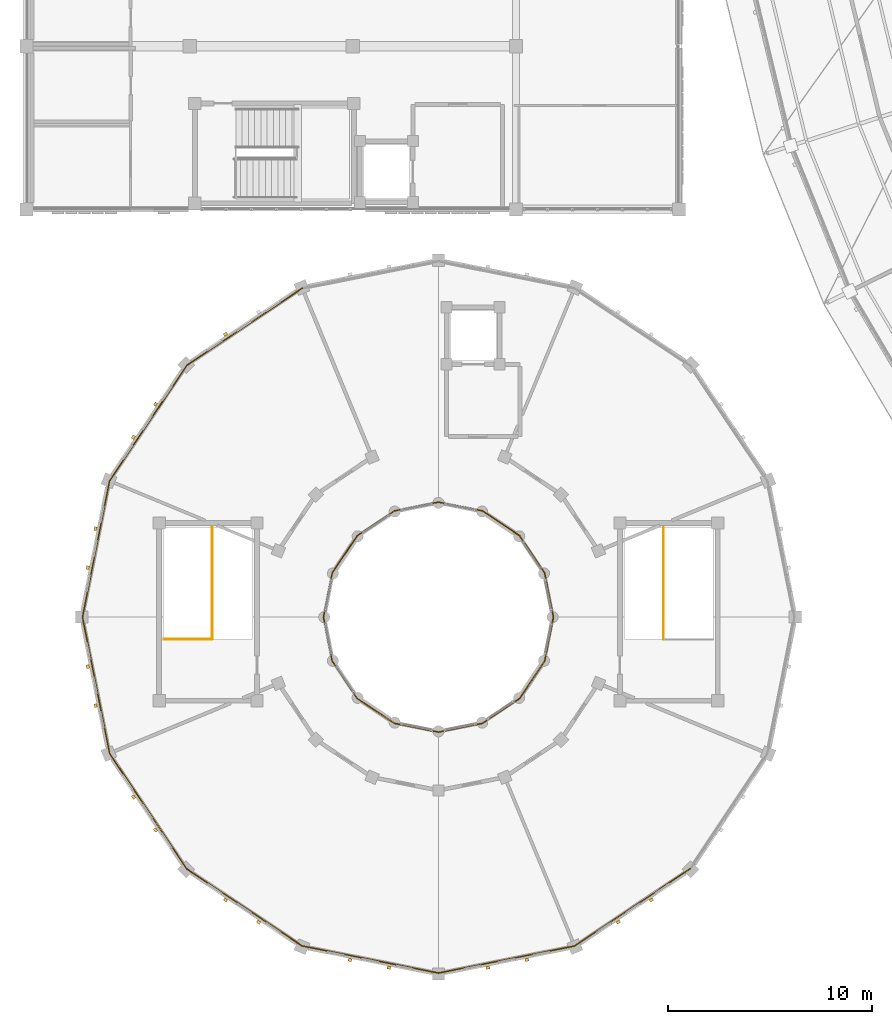
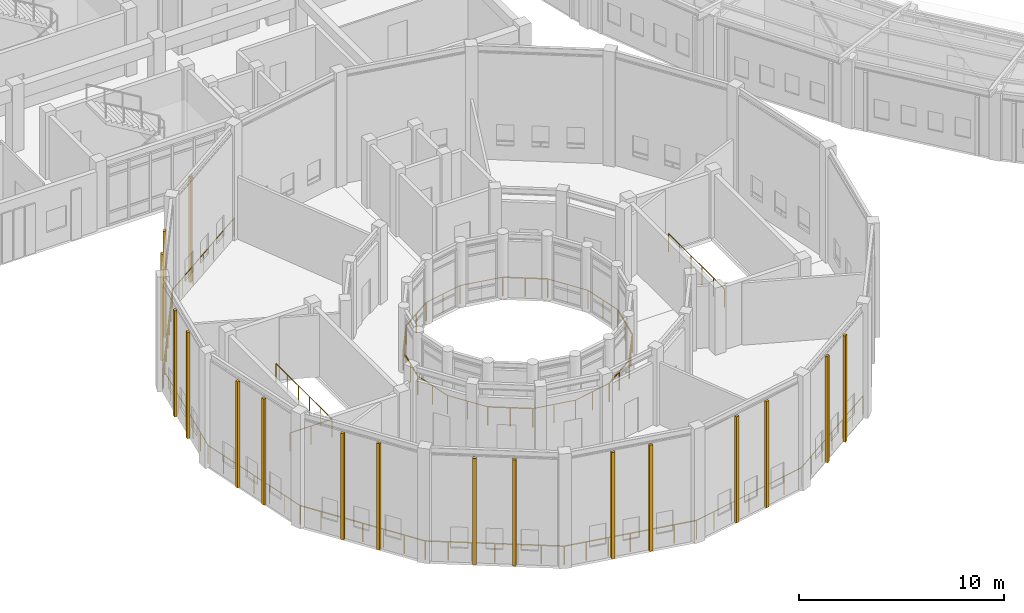
# One storey, part 136 of 149: 28 railings, 17 coverings.
"""IFC4 building model written with IfcOpenShell, lengths in metres."""

from ifc_helpers import new_model, si_unit, direction, frame, origin, origin_2d, place, context, subcontext, project, spatial, rectangle, circle, extrude, material, layer, layer_set, type_object, element, save


model = new_model("IFC4")

# Units and contexts
model_context = context("Model", 3, precision=1e-05, world=origin(), true_north=direction((0.0, 1.0)))
body_context = subcontext(model_context, "Body", "Model", "MODEL_VIEW")
ifc_project = project(units=[si_unit("LENGTHUNIT", "METRE"), si_unit("AREAUNIT", "SQUARE_METRE"), si_unit("VOLUMEUNIT", "CUBIC_METRE"), si_unit("PLANEANGLEUNIT", "RADIAN"), si_unit("MASSUNIT", "GRAM", prefix="KILO")], contexts=[model_context])

# Site, building, storey
site_placement = place(None, origin())
site = spatial("IfcSite", under=ifc_project, at=site_placement, CompositionType="ELEMENT")
building_placement = place(site_placement, origin())
building = spatial("IfcBuilding", under=site, at=building_placement, Name="Celadon Cloister-Ring School", CompositionType="ELEMENT")
storey_placement = place(building_placement, frame((0.0, 0.0, 12.5)))
storey = spatial("IfcBuildingStorey", under=building, at=storey_placement, Name="L03", CompositionType="ELEMENT", Elevation=12.5)

# Coverings
ifc_material_1 = material(Name="Perforated terracotta clay brick masonry", Category="masonry")
ifc_layer = layer(ifc_material_1, 0.139892578125)
ifc_layer_set = layer_set([ifc_layer], Name="Perforated terracotta clay brick masonry")
covering_type = type_object("IfcCoveringType", Name="CV-SC1", PredefinedType="CLADDING", material=ifc_layer_set)
for number, where, z_axis, x_axis, name in (
    (1, (9.756103515625, 33.8759765625, 0.0), (0.0, 0.0, 1.0), (0.831401730389, 0.55567181205, 0.0), "Brick Screen Rib 0682"),
    (2, (5.239990234375, 28.822998046875, 0.0), (0.0, 0.0, 1.0), (0.55567181205, 0.831401730389, 0.0), "Brick Screen Rib 0684"),
    (3, (6.323974609375, 30.444091796875, 0.0), (0.0, 0.0, 1.0), (0.55567181205, 0.831401730389, 0.0), "Brick Screen Rib 0685"),
    (4, (3.001953125, 22.427001953125, 0.0), (0.0, 0.0, 1.0), (0.195141675546, 0.980775064153, 0.0), "Brick Screen Rib 0686"),
    (5, (3.383056640625, 24.339111328125, 0.0), (0.0, 0.0, 1.0), (0.195141675546, 0.980775064153, 0.0), "Brick Screen Rib 0687"),
    (6, (3.383056640625, 15.660888671875, 0.0), (0.0, 0.0, 1.0), (-0.195141675546, 0.980775064153, 0.0), "Brick Screen Rib 0688"),
    (7, (3.001953125, 17.572998046875, 0.0), (0.0, 0.0, 1.0), (-0.195141675546, 0.980775064153, 0.0), "Brick Screen Rib 0689"),
    (8, (6.323974609375, 9.555908203125, 0.0), (0.0, 0.0, 1.0), (-0.55567181205, 0.831401730389, 0.0), "Brick Screen Rib 0690"),
    (9, (5.239990234375, 11.177001953125, 0.0), (0.0, 0.0, 1.0), (-0.55567181205, 0.831401730389, 0.0), "Brick Screen Rib 0691"),
    (10, (11.376953125, 5.0400390625, 0.0), (0.0, 0.0, 1.0), (-0.831401730389, 0.55567181205, 0.0), "Brick Screen Rib 0692"),
    (11, (9.756103515625, 6.1240234375, 0.0), (0.0, 0.0, 1.0), (-0.831401730389, 0.55567181205, 0.0), "Brick Screen Rib 0693"),
    (12, (17.77294921875, 2.802001953125, 0.0), (0.0, 0.0, 1.0), (-0.980775064153, 0.195141675546, 0.0), "Brick Screen Rib 0694"),
    (13, (15.861083984375, 3.18310546875, 0.0), (0.0, 0.0, 1.0), (-0.980775064153, 0.195141675546, 0.0), "Brick Screen Rib 0695"),
    (14, (24.5390625, 3.18310546875, 0.0), (0.0, 0.0, 1.0), (-0.980775064153, -0.195141675546, 0.0), "Brick Screen Rib 0696"),
    (15, (22.626953125, 2.802001953125, 0.0), (0.0, 0.0, 1.0), (-0.980775064153, -0.195141675546, 0.0), "Brick Screen Rib 0697"),
    (16, (30.64404296875, 6.1240234375, 0.0), (0.0, 0.0, 1.0), (-0.831401730389, -0.55567181205, 0.0), "Brick Screen Rib 0698"),
    (17, (29.02294921875, 5.0400390625, 0.0), (0.0, 0.0, 1.0), (-0.831401730389, -0.55567181205, 0.0), "Brick Screen Rib 0699"),
):
    element("IfcCovering", number, at=place(storey_placement, frame(where, z_axis=z_axis, x_axis=x_axis)), inside=storey, type_object=covering_type, Name=name, PredefinedType="CLADDING", context=body_context, shape_type="SweptSolid", body=[
        extrude(rectangle(XDim=0.179931640625, YDim=0.139892578125, at=origin_2d()), origin(), (0.0, 0.0, 1.0), 6.330078125),
    ])

# Railings
ifc_material_2 = material(Name="Structural steel S355JR", Category="steel")
railing_type_1 = type_object("IfcRailingType", Name="RL-BL1", PredefinedType="BALUSTRADE", material=ifc_material_2)
railing_1_placement = place(storey_placement, frame((13.51806640625, 36.131103515625, 0.0)))
element("IfcRailing", 18, at=railing_1_placement, inside=storey, type_object=railing_type_1, Name="Terrace Balustrade 0382", PredefinedType="BALUSTRADE", context=body_context, shape_type="SweptSolid", body=[
    extrude(circle(Radius=0.02392578125, at=origin_2d()), frame((0.0, 0.0, 1.09619140625), z_axis=(-0.831432269387, -0.555626116577, 0.0), x_axis=(0.555626116577, -0.831432269387, 0.0)), (0.0, 0.0, 1.0), 6.8125),
    extrude(circle(Radius=0.02099609375, at=origin_2d()), origin(), (0.0, 0.0, 1.0), 1.072021484375),
    extrude(circle(Radius=0.02099609375, at=origin_2d()), frame((-0.944091796875, -0.630859375, 0.0)), (0.0, 0.0, 1.0), 1.072021484375),
    extrude(circle(Radius=0.02099609375, at=origin_2d()), frame((-1.887939453125, -1.26171875, 0.0)), (0.0, 0.0, 1.0), 1.072021484375),
    extrude(circle(Radius=0.02099609375, at=origin_2d()), frame((-2.83203125, -1.892578125, 0.0)), (0.0, 0.0, 1.0), 1.072021484375),
    extrude(circle(Radius=0.02099609375, at=origin_2d()), frame((-3.776123046875, -2.5234375, 0.0)), (0.0, 0.0, 1.0), 1.072021484375),
    extrude(circle(Radius=0.02099609375, at=origin_2d()), frame((-4.719970703125, -3.154296875, 0.0)), (0.0, 0.0, 1.0), 1.072021484375),
    extrude(circle(Radius=0.02099609375, at=origin_2d()), frame((-5.6640625, -3.78515625, 0.0)), (0.0, 0.0, 1.0), 1.072021484375),
])
railing_2_placement = place(storey_placement, frame((7.85400390625, 32.345947265625, 0.0)))
element("IfcRailing", 19, at=railing_2_placement, inside=storey, type_object=railing_type_1, Name="Terrace Balustrade 0383", PredefinedType="BALUSTRADE", context=body_context, shape_type="SweptSolid", body=[
    extrude(circle(Radius=0.02392578125, at=origin_2d()), frame((0.0, 0.0, 1.09619140625), z_axis=(-0.555601342036, -0.831448825081, 0.0), x_axis=(0.831448825081, -0.555601342036, 0.0)), (0.0, 0.0, 1.0), 6.812255859375),
    extrude(circle(Radius=0.02099609375, at=origin_2d()), origin(), (0.0, 0.0, 1.0), 1.072021484375),
    extrude(circle(Radius=0.02099609375, at=origin_2d()), frame((-0.630859375, -0.944091796875, 0.0)), (0.0, 0.0, 1.0), 1.072021484375),
    extrude(circle(Radius=0.02099609375, at=origin_2d()), frame((-1.26171875, -1.887939453125, 0.0)), (0.0, 0.0, 1.0), 1.072021484375),
    extrude(circle(Radius=0.02099609375, at=origin_2d()), frame((-1.892578125, -2.83203125, 0.0)), (0.0, 0.0, 1.0), 1.072021484375),
    extrude(circle(Radius=0.02099609375, at=origin_2d()), frame((-2.523193359375, -3.776123046875, 0.0)), (0.0, 0.0, 1.0), 1.072021484375),
    extrude(circle(Radius=0.02099609375, at=origin_2d()), frame((-3.154052734375, -4.719970703125, 0.0)), (0.0, 0.0, 1.0), 1.072021484375),
    extrude(circle(Radius=0.02099609375, at=origin_2d()), frame((-3.784912109375, -5.6640625, 0.0)), (0.0, 0.0, 1.0), 1.072021484375),
])
railing_3_placement = place(storey_placement, frame((4.069091796875, 26.681884765625, 0.0)))
element("IfcRailing", 20, at=railing_3_placement, inside=storey, type_object=railing_type_1, Name="Terrace Balustrade 0384", PredefinedType="BALUSTRADE", context=body_context, shape_type="SweptSolid", body=[
    extrude(circle(Radius=0.02392578125, at=origin_2d()), frame((0.0, 0.0, 1.09619140625), z_axis=(-0.19508919883, -0.980785503818, 0.0), x_axis=(0.980785503818, -0.19508919883, 0.0)), (0.0, 0.0, 1.0), 6.812744140625),
    extrude(circle(Radius=0.02099609375, at=origin_2d()), origin(), (0.0, 0.0, 1.0), 1.072021484375),
    extrude(circle(Radius=0.02099609375, at=origin_2d()), frame((-0.221435546875, -1.11376953125, 0.0)), (0.0, 0.0, 1.0), 1.072021484375),
    extrude(circle(Radius=0.02099609375, at=origin_2d()), frame((-0.443115234375, -2.227294921875, 0.0)), (0.0, 0.0, 1.0), 1.072021484375),
    extrude(circle(Radius=0.02099609375, at=origin_2d()), frame((-0.66455078125, -3.3408203125, 0.0)), (0.0, 0.0, 1.0), 1.072021484375),
    extrude(circle(Radius=0.02099609375, at=origin_2d()), frame((-0.885986328125, -4.45458984375, 0.0)), (0.0, 0.0, 1.0), 1.072021484375),
    extrude(circle(Radius=0.02099609375, at=origin_2d()), frame((-1.107666015625, -5.568359375, 0.0)), (0.0, 0.0, 1.0), 1.072021484375),
    extrude(circle(Radius=0.02099609375, at=origin_2d()), frame((-1.3291015625, -6.681884765625, 0.0)), (0.0, 0.0, 1.0), 1.072021484375),
])
railing_4_placement = place(storey_placement, frame((2.739990234375, 20.0, 0.0)))
element("IfcRailing", 21, at=railing_4_placement, inside=storey, type_object=railing_type_1, Name="Terrace Balustrade 0385", PredefinedType="BALUSTRADE", context=body_context, shape_type="SweptSolid", body=[
    extrude(circle(Radius=0.02392578125, at=origin_2d()), frame((0.0, 0.0, 1.09619140625), z_axis=(0.19508919883, -0.980785503818, 0.0), x_axis=(0.980785503818, 0.19508919883, 0.0)), (0.0, 0.0, 1.0), 6.812744140625),
    extrude(circle(Radius=0.02099609375, at=origin_2d()), origin(), (0.0, 0.0, 1.0), 1.072021484375),
    extrude(circle(Radius=0.02099609375, at=origin_2d()), frame((0.221435546875, -1.11376953125, 0.0)), (0.0, 0.0, 1.0), 1.072021484375),
    extrude(circle(Radius=0.02099609375, at=origin_2d()), frame((0.443115234375, -2.227294921875, 0.0)), (0.0, 0.0, 1.0), 1.072021484375),
    extrude(circle(Radius=0.02099609375, at=origin_2d()), frame((0.66455078125, -3.3408203125, 0.0)), (0.0, 0.0, 1.0), 1.072021484375),
    extrude(circle(Radius=0.02099609375, at=origin_2d()), frame((0.885986328125, -4.45458984375, 0.0)), (0.0, 0.0, 1.0), 1.072021484375),
    extrude(circle(Radius=0.02099609375, at=origin_2d()), frame((1.107666015625, -5.568359375, 0.0)), (0.0, 0.0, 1.0), 1.072021484375),
    extrude(circle(Radius=0.02099609375, at=origin_2d()), frame((1.3291015625, -6.681884765625, 0.0)), (0.0, 0.0, 1.0), 1.072021484375),
])
railing_5_placement = place(storey_placement, frame((4.069091796875, 13.318115234375, 0.0)))
element("IfcRailing", 22, at=railing_5_placement, inside=storey, type_object=railing_type_1, Name="Terrace Balustrade 0386", PredefinedType="BALUSTRADE", context=body_context, shape_type="SweptSolid", body=[
    extrude(circle(Radius=0.02392578125, at=origin_2d()), frame((0.0, 0.0, 1.09619140625), z_axis=(0.555601342036, -0.831448825081, 0.0), x_axis=(0.831448825081, 0.555601342036, 0.0)), (0.0, 0.0, 1.0), 6.812255859375),
    extrude(circle(Radius=0.02099609375, at=origin_2d()), origin(), (0.0, 0.0, 1.0), 1.072021484375),
    extrude(circle(Radius=0.02099609375, at=origin_2d()), frame((0.630859375, -0.944091796875, 0.0)), (0.0, 0.0, 1.0), 1.072021484375),
    extrude(circle(Radius=0.02099609375, at=origin_2d()), frame((1.26171875, -1.887939453125, 0.0)), (0.0, 0.0, 1.0), 1.072021484375),
    extrude(circle(Radius=0.02099609375, at=origin_2d()), frame((1.892578125, -2.83203125, 0.0)), (0.0, 0.0, 1.0), 1.072021484375),
    extrude(circle(Radius=0.02099609375, at=origin_2d()), frame((2.523193359375, -3.776123046875, 0.0)), (0.0, 0.0, 1.0), 1.072021484375),
    extrude(circle(Radius=0.02099609375, at=origin_2d()), frame((3.154052734375, -4.719970703125, 0.0)), (0.0, 0.0, 1.0), 1.072021484375),
    extrude(circle(Radius=0.02099609375, at=origin_2d()), frame((3.784912109375, -5.6640625, 0.0)), (0.0, 0.0, 1.0), 1.072021484375),
])
railing_6_placement = place(storey_placement, frame((7.85400390625, 7.654052734375, 0.0)))
element("IfcRailing", 23, at=railing_6_placement, inside=storey, type_object=railing_type_1, Name="Terrace Balustrade 0387", PredefinedType="BALUSTRADE", context=body_context, shape_type="SweptSolid", body=[
    extrude(circle(Radius=0.02392578125, at=origin_2d()), frame((0.0, 0.0, 1.09619140625), z_axis=(0.831432269387, -0.555626116577, 0.0), x_axis=(0.555626116577, 0.831432269387, 0.0)), (0.0, 0.0, 1.0), 6.8125),
    extrude(circle(Radius=0.02099609375, at=origin_2d()), origin(), (0.0, 0.0, 1.0), 1.072021484375),
    extrude(circle(Radius=0.02099609375, at=origin_2d()), frame((0.944091796875, -0.630859375, 0.0)), (0.0, 0.0, 1.0), 1.072021484375),
    extrude(circle(Radius=0.02099609375, at=origin_2d()), frame((1.887939453125, -1.26171875, 0.0)), (0.0, 0.0, 1.0), 1.072021484375),
    extrude(circle(Radius=0.02099609375, at=origin_2d()), frame((2.83203125, -1.892578125, 0.0)), (0.0, 0.0, 1.0), 1.072021484375),
    extrude(circle(Radius=0.02099609375, at=origin_2d()), frame((3.776123046875, -2.5234375, 0.0)), (0.0, 0.0, 1.0), 1.072021484375),
    extrude(circle(Radius=0.02099609375, at=origin_2d()), frame((4.719970703125, -3.154296875, 0.0)), (0.0, 0.0, 1.0), 1.072021484375),
    extrude(circle(Radius=0.02099609375, at=origin_2d()), frame((5.6640625, -3.78515625, 0.0)), (0.0, 0.0, 1.0), 1.072021484375),
])
railing_7_placement = place(storey_placement, frame((13.51806640625, 3.868896484375, 0.0)))
element("IfcRailing", 24, at=railing_7_placement, inside=storey, type_object=railing_type_1, Name="Terrace Balustrade 0388", PredefinedType="BALUSTRADE", context=body_context, shape_type="SweptSolid", body=[
    extrude(circle(Radius=0.02392578125, at=origin_2d()), frame((0.0, 0.0, 1.09619140625), z_axis=(0.980792360074, -0.19505472673, 0.0), x_axis=(0.19505472673, 0.980792360074, 0.0)), (0.0, 0.0, 1.0), 6.812744140625),
    extrude(circle(Radius=0.02099609375, at=origin_2d()), origin(), (0.0, 0.0, 1.0), 1.072021484375),
    extrude(circle(Radius=0.02099609375, at=origin_2d()), frame((1.11376953125, -0.221435546875, 0.0)), (0.0, 0.0, 1.0), 1.072021484375),
    extrude(circle(Radius=0.02099609375, at=origin_2d()), frame((2.227294921875, -0.44287109375, 0.0)), (0.0, 0.0, 1.0), 1.072021484375),
    extrude(circle(Radius=0.02099609375, at=origin_2d()), frame((3.3408203125, -0.66455078125, 0.0)), (0.0, 0.0, 1.0), 1.072021484375),
    extrude(circle(Radius=0.02099609375, at=origin_2d()), frame((4.45458984375, -0.885986328125, 0.0)), (0.0, 0.0, 1.0), 1.072021484375),
    extrude(circle(Radius=0.02099609375, at=origin_2d()), frame((5.568359375, -1.107421875, 0.0)), (0.0, 0.0, 1.0), 1.072021484375),
    extrude(circle(Radius=0.02099609375, at=origin_2d()), frame((6.681884765625, -1.328857421875, 0.0)), (0.0, 0.0, 1.0), 1.072021484375),
])
railing_8_placement = place(storey_placement, frame((20.199951171875, 2.5400390625, 0.0)))
element("IfcRailing", 25, at=railing_8_placement, inside=storey, type_object=railing_type_1, Name="Terrace Balustrade 0389", PredefinedType="BALUSTRADE", context=body_context, shape_type="SweptSolid", body=[
    extrude(circle(Radius=0.02392578125, at=origin_2d()), frame((0.0, 0.0, 1.09619140625), z_axis=(0.980793723427, 0.195047871268, 0.0), x_axis=(-0.195047871268, 0.980793723427, 0.0)), (0.0, 0.0, 1.0), 6.81298828125),
    extrude(circle(Radius=0.02099609375, at=origin_2d()), origin(), (0.0, 0.0, 1.0), 1.072021484375),
    extrude(circle(Radius=0.02099609375, at=origin_2d()), frame((1.11376953125, 0.221435546875, 0.0)), (0.0, 0.0, 1.0), 1.072021484375),
    extrude(circle(Radius=0.02099609375, at=origin_2d()), frame((2.227294921875, 0.44287109375, 0.0)), (0.0, 0.0, 1.0), 1.072021484375),
    extrude(circle(Radius=0.02099609375, at=origin_2d()), frame((3.341064453125, 0.66455078125, 0.0)), (0.0, 0.0, 1.0), 1.072021484375),
    extrude(circle(Radius=0.02099609375, at=origin_2d()), frame((4.454833984375, 0.885986328125, 0.0)), (0.0, 0.0, 1.0), 1.072021484375),
    extrude(circle(Radius=0.02099609375, at=origin_2d()), frame((5.568359375, 1.107421875, 0.0)), (0.0, 0.0, 1.0), 1.072021484375),
    extrude(circle(Radius=0.02099609375, at=origin_2d()), frame((6.68212890625, 1.328857421875, 0.0)), (0.0, 0.0, 1.0), 1.072021484375),
])
railing_9_placement = place(storey_placement, frame((26.882080078125, 3.868896484375, 0.0)))
element("IfcRailing", 26, at=railing_9_placement, inside=storey, type_object=railing_type_1, Name="Terrace Balustrade 0390", PredefinedType="BALUSTRADE", context=body_context, shape_type="SweptSolid", body=[
    extrude(circle(Radius=0.02392578125, at=origin_2d()), frame((0.0, 0.0, 1.09619140625), z_axis=(0.831421205096, 0.555642672693, 0.0), x_axis=(-0.555642672693, 0.831421205096, 0.0)), (0.0, 0.0, 1.0), 6.812255859375),
    extrude(circle(Radius=0.02099609375, at=origin_2d()), origin(), (0.0, 0.0, 1.0), 1.072021484375),
    extrude(circle(Radius=0.02099609375, at=origin_2d()), frame((0.94384765625, 0.630859375, 0.0)), (0.0, 0.0, 1.0), 1.072021484375),
    extrude(circle(Radius=0.02099609375, at=origin_2d()), frame((1.887939453125, 1.26171875, 0.0)), (0.0, 0.0, 1.0), 1.072021484375),
    extrude(circle(Radius=0.02099609375, at=origin_2d()), frame((2.83203125, 1.892578125, 0.0)), (0.0, 0.0, 1.0), 1.072021484375),
    extrude(circle(Radius=0.02099609375, at=origin_2d()), frame((3.77587890625, 2.5234375, 0.0)), (0.0, 0.0, 1.0), 1.072021484375),
    extrude(circle(Radius=0.02099609375, at=origin_2d()), frame((4.7197265625, 3.154296875, 0.0)), (0.0, 0.0, 1.0), 1.072021484375),
    extrude(circle(Radius=0.02099609375, at=origin_2d()), frame((5.663818359375, 3.78515625, 0.0)), (0.0, 0.0, 1.0), 1.072021484375),
])
railing_10_placement = place(storey_placement, frame((25.840087890625, 20.0, 0.0)))
element("IfcRailing", 27, at=railing_10_placement, inside=storey, type_object=railing_type_1, Name="Terrace Balustrade 0393", PredefinedType="BALUSTRADE", context=body_context, shape_type="SweptSolid", body=[
    extrude(circle(Radius=0.02392578125, at=origin_2d()), frame((0.0, 0.0, 1.09619140625), z_axis=(-0.19507042432, 0.980789238091, 0.0), x_axis=(-0.980789238091, -0.19507042432, 0.0)), (0.0, 0.0, 1.0), 2.2001953125),
    extrude(circle(Radius=0.02099609375, at=origin_2d()), origin(), (0.0, 0.0, 1.0), 1.072021484375),
    extrude(circle(Radius=0.02099609375, at=origin_2d()), frame((-0.214599609375, 1.0791015625, 0.0)), (0.0, 0.0, 1.0), 1.072021484375),
    extrude(circle(Radius=0.02099609375, at=origin_2d()), frame((-0.42919921875, 2.157958984375, 0.0)), (0.0, 0.0, 1.0), 1.072021484375),
])
railing_11_placement = place(storey_placement, frame((25.410888671875, 22.157958984375, 0.0)))
element("IfcRailing", 28, at=railing_11_placement, inside=storey, type_object=railing_type_1, Name="Terrace Balustrade 0394", PredefinedType="BALUSTRADE", context=body_context, shape_type="SweptSolid", body=[
    extrude(circle(Radius=0.02392578125, at=origin_2d()), frame((0.0, 0.0, 1.09619140625), z_axis=(-0.555595762933, 0.831452553193, 0.0), x_axis=(-0.831452553193, -0.555595762933, 0.0)), (0.0, 0.0, 1.0), 2.201171875),
    extrude(circle(Radius=0.02099609375, at=origin_2d()), origin(), (0.0, 0.0, 1.0), 1.072021484375),
    extrude(circle(Radius=0.02099609375, at=origin_2d()), frame((-0.611328125, 0.9150390625, 0.0)), (0.0, 0.0, 1.0), 1.072021484375),
    extrude(circle(Radius=0.02099609375, at=origin_2d()), frame((-1.222900390625, 1.830078125, 0.0)), (0.0, 0.0, 1.0), 1.072021484375),
])
railing_12_placement = place(storey_placement, frame((24.18798828125, 23.988037109375, 0.0)))
element("IfcRailing", 29, at=railing_12_placement, inside=storey, type_object=railing_type_1, Name="Terrace Balustrade 0395", PredefinedType="BALUSTRADE", context=body_context, shape_type="SweptSolid", body=[
    extrude(circle(Radius=0.02392578125, at=origin_2d()), frame((0.0, 0.0, 1.09619140625), z_axis=(-0.831452553193, 0.555595762933, 0.0), x_axis=(-0.555595762933, -0.831452553193, 0.0)), (0.0, 0.0, 1.0), 2.201171875),
    extrude(circle(Radius=0.02099609375, at=origin_2d()), origin(), (0.0, 0.0, 1.0), 1.072021484375),
    extrude(circle(Radius=0.02099609375, at=origin_2d()), frame((-0.9150390625, 0.611328125, 0.0)), (0.0, 0.0, 1.0), 1.072021484375),
    extrude(circle(Radius=0.02099609375, at=origin_2d()), frame((-1.830078125, 1.222900390625, 0.0)), (0.0, 0.0, 1.0), 1.072021484375),
])
railing_13_placement = place(storey_placement, frame((22.35791015625, 25.2109375, 0.0)))
element("IfcRailing", 30, at=railing_13_placement, inside=storey, type_object=railing_type_1, Name="Terrace Balustrade 0396", PredefinedType="BALUSTRADE", context=body_context, shape_type="SweptSolid", body=[
    extrude(circle(Radius=0.02392578125, at=origin_2d()), frame((0.0, 0.0, 1.09619140625), z_axis=(-0.980810462238, 0.194963681655, 0.0), x_axis=(-0.194963681655, -0.980810462238, 0.0)), (0.0, 0.0, 1.0), 2.2001953125),
    extrude(circle(Radius=0.02099609375, at=origin_2d()), origin(), (0.0, 0.0, 1.0), 1.072021484375),
    extrude(circle(Radius=0.02099609375, at=origin_2d()), frame((-1.0791015625, 0.21435546875, 0.0)), (0.0, 0.0, 1.0), 1.072021484375),
    extrude(circle(Radius=0.02099609375, at=origin_2d()), frame((-2.157958984375, 0.428955078125, 0.0)), (0.0, 0.0, 1.0), 1.072021484375),
])
railing_14_placement = place(storey_placement, frame((20.199951171875, 25.639892578125, 0.0)))
element("IfcRailing", 31, at=railing_14_placement, inside=storey, type_object=railing_type_1, Name="Terrace Balustrade 0397", PredefinedType="BALUSTRADE", context=body_context, shape_type="SweptSolid", body=[
    extrude(circle(Radius=0.02392578125, at=origin_2d()), frame((0.0, 0.0, 1.09619140625), z_axis=(-0.980810462238, -0.194963681655, 0.0), x_axis=(0.194963681655, -0.980810462238, 0.0)), (0.0, 0.0, 1.0), 2.2001953125),
    extrude(circle(Radius=0.02099609375, at=origin_2d()), origin(), (0.0, 0.0, 1.0), 1.072021484375),
    extrude(circle(Radius=0.02099609375, at=origin_2d()), frame((-1.0791015625, -0.21435546875, 0.0)), (0.0, 0.0, 1.0), 1.072021484375),
    extrude(circle(Radius=0.02099609375, at=origin_2d()), frame((-2.157958984375, -0.428955078125, 0.0)), (0.0, 0.0, 1.0), 1.072021484375),
])
railing_15_placement = place(storey_placement, frame((18.0419921875, 25.2109375, 0.0)))
element("IfcRailing", 32, at=railing_15_placement, inside=storey, type_object=railing_type_1, Name="Terrace Balustrade 0398", PredefinedType="BALUSTRADE", context=body_context, shape_type="SweptSolid", body=[
    extrude(circle(Radius=0.02392578125, at=origin_2d()), frame((0.0, 0.0, 1.09619140625), z_axis=(-0.831452553193, -0.555595762933, 0.0), x_axis=(0.555595762933, -0.831452553193, 0.0)), (0.0, 0.0, 1.0), 2.201171875),
    extrude(circle(Radius=0.02099609375, at=origin_2d()), origin(), (0.0, 0.0, 1.0), 1.072021484375),
    extrude(circle(Radius=0.02099609375, at=origin_2d()), frame((-0.9150390625, -0.611328125, 0.0)), (0.0, 0.0, 1.0), 1.072021484375),
    extrude(circle(Radius=0.02099609375, at=origin_2d()), frame((-1.830078125, -1.222900390625, 0.0)), (0.0, 0.0, 1.0), 1.072021484375),
])
railing_16_placement = place(storey_placement, frame((16.2119140625, 23.988037109375, 0.0)))
element("IfcRailing", 33, at=railing_16_placement, inside=storey, type_object=railing_type_1, Name="Terrace Balustrade 0399", PredefinedType="BALUSTRADE", context=body_context, shape_type="SweptSolid", body=[
    extrude(circle(Radius=0.02392578125, at=origin_2d()), frame((0.0, 0.0, 1.09619140625), z_axis=(-0.555595762933, -0.831452553193, 0.0), x_axis=(0.831452553193, -0.555595762933, 0.0)), (0.0, 0.0, 1.0), 2.201171875),
    extrude(circle(Radius=0.02099609375, at=origin_2d()), origin(), (0.0, 0.0, 1.0), 1.072021484375),
    extrude(circle(Radius=0.02099609375, at=origin_2d()), frame((-0.611328125, -0.9150390625, 0.0)), (0.0, 0.0, 1.0), 1.072021484375),
    extrude(circle(Radius=0.02099609375, at=origin_2d()), frame((-1.222900390625, -1.830078125, 0.0)), (0.0, 0.0, 1.0), 1.072021484375),
])
railing_17_placement = place(storey_placement, frame((14.989013671875, 22.157958984375, 0.0)))
element("IfcRailing", 34, at=railing_17_placement, inside=storey, type_object=railing_type_1, Name="Terrace Balustrade 0400", PredefinedType="BALUSTRADE", context=body_context, shape_type="SweptSolid", body=[
    extrude(circle(Radius=0.02392578125, at=origin_2d()), frame((0.0, 0.0, 1.09619140625), z_axis=(-0.194963681655, -0.980810462238, 0.0), x_axis=(0.980810462238, -0.194963681655, 0.0)), (0.0, 0.0, 1.0), 2.2001953125),
    extrude(circle(Radius=0.02099609375, at=origin_2d()), origin(), (0.0, 0.0, 1.0), 1.072021484375),
    extrude(circle(Radius=0.02099609375, at=origin_2d()), frame((-0.21435546875, -1.0791015625, 0.0)), (0.0, 0.0, 1.0), 1.072021484375),
    extrude(circle(Radius=0.02099609375, at=origin_2d()), frame((-0.428955078125, -2.157958984375, 0.0)), (0.0, 0.0, 1.0), 1.072021484375),
])
railing_18_placement = place(storey_placement, frame((14.56005859375, 20.0, 0.0)))
element("IfcRailing", 35, at=railing_18_placement, inside=storey, type_object=railing_type_1, Name="Terrace Balustrade 0401", PredefinedType="BALUSTRADE", context=body_context, shape_type="SweptSolid", body=[
    extrude(circle(Radius=0.02392578125, at=origin_2d()), frame((0.0, 0.0, 1.09619140625), z_axis=(0.194963681655, -0.980810462238, 0.0), x_axis=(0.980810462238, 0.194963681655, 0.0)), (0.0, 0.0, 1.0), 2.2001953125),
    extrude(circle(Radius=0.02099609375, at=origin_2d()), origin(), (0.0, 0.0, 1.0), 1.072021484375),
    extrude(circle(Radius=0.02099609375, at=origin_2d()), frame((0.21435546875, -1.0791015625, 0.0)), (0.0, 0.0, 1.0), 1.072021484375),
    extrude(circle(Radius=0.02099609375, at=origin_2d()), frame((0.428955078125, -2.157958984375, 0.0)), (0.0, 0.0, 1.0), 1.072021484375),
])
railing_19_placement = place(storey_placement, frame((14.989013671875, 17.842041015625, 0.0)))
element("IfcRailing", 36, at=railing_19_placement, inside=storey, type_object=railing_type_1, Name="Terrace Balustrade 0402", PredefinedType="BALUSTRADE", context=body_context, shape_type="SweptSolid", body=[
    extrude(circle(Radius=0.02392578125, at=origin_2d()), frame((0.0, 0.0, 1.09619140625), z_axis=(0.555595762933, -0.831452553193, 0.0), x_axis=(0.831452553193, 0.555595762933, 0.0)), (0.0, 0.0, 1.0), 2.201171875),
    extrude(circle(Radius=0.02099609375, at=origin_2d()), origin(), (0.0, 0.0, 1.0), 1.072021484375),
    extrude(circle(Radius=0.02099609375, at=origin_2d()), frame((0.611328125, -0.9150390625, 0.0)), (0.0, 0.0, 1.0), 1.072021484375),
    extrude(circle(Radius=0.02099609375, at=origin_2d()), frame((1.222900390625, -1.830078125, 0.0)), (0.0, 0.0, 1.0), 1.072021484375),
])
railing_20_placement = place(storey_placement, frame((16.2119140625, 16.011962890625, 0.0)))
element("IfcRailing", 37, at=railing_20_placement, inside=storey, type_object=railing_type_1, Name="Terrace Balustrade 0403", PredefinedType="BALUSTRADE", context=body_context, shape_type="SweptSolid", body=[
    extrude(circle(Radius=0.02392578125, at=origin_2d()), frame((0.0, 0.0, 1.09619140625), z_axis=(0.831452553193, -0.555595762933, 0.0), x_axis=(0.555595762933, 0.831452553193, 0.0)), (0.0, 0.0, 1.0), 2.201171875),
    extrude(circle(Radius=0.02099609375, at=origin_2d()), origin(), (0.0, 0.0, 1.0), 1.072021484375),
    extrude(circle(Radius=0.02099609375, at=origin_2d()), frame((0.9150390625, -0.611328125, 0.0)), (0.0, 0.0, 1.0), 1.072021484375),
    extrude(circle(Radius=0.02099609375, at=origin_2d()), frame((1.830078125, -1.222900390625, 0.0)), (0.0, 0.0, 1.0), 1.072021484375),
])
railing_21_placement = place(storey_placement, frame((18.0419921875, 14.7890625, 0.0)))
element("IfcRailing", 38, at=railing_21_placement, inside=storey, type_object=railing_type_1, Name="Terrace Balustrade 0404", PredefinedType="BALUSTRADE", context=body_context, shape_type="SweptSolid", body=[
    extrude(circle(Radius=0.02392578125, at=origin_2d()), frame((0.0, 0.0, 1.09619140625), z_axis=(0.980810462238, -0.194963681655, 0.0), x_axis=(0.194963681655, 0.980810462238, 0.0)), (0.0, 0.0, 1.0), 2.2001953125),
    extrude(circle(Radius=0.02099609375, at=origin_2d()), origin(), (0.0, 0.0, 1.0), 1.072021484375),
    extrude(circle(Radius=0.02099609375, at=origin_2d()), frame((1.0791015625, -0.21435546875, 0.0)), (0.0, 0.0, 1.0), 1.072021484375),
    extrude(circle(Radius=0.02099609375, at=origin_2d()), frame((2.157958984375, -0.428955078125, 0.0)), (0.0, 0.0, 1.0), 1.072021484375),
])
railing_22_placement = place(storey_placement, frame((20.199951171875, 14.360107421875, 0.0)))
element("IfcRailing", 39, at=railing_22_placement, inside=storey, type_object=railing_type_1, Name="Terrace Balustrade 0405", PredefinedType="BALUSTRADE", context=body_context, shape_type="SweptSolid", body=[
    extrude(circle(Radius=0.02392578125, at=origin_2d()), frame((0.0, 0.0, 1.09619140625), z_axis=(0.980810462238, 0.194963681655, 0.0), x_axis=(-0.194963681655, 0.980810462238, 0.0)), (0.0, 0.0, 1.0), 2.2001953125),
    extrude(circle(Radius=0.02099609375, at=origin_2d()), origin(), (0.0, 0.0, 1.0), 1.072021484375),
    extrude(circle(Radius=0.02099609375, at=origin_2d()), frame((1.0791015625, 0.21435546875, 0.0)), (0.0, 0.0, 1.0), 1.072021484375),
    extrude(circle(Radius=0.02099609375, at=origin_2d()), frame((2.157958984375, 0.428955078125, 0.0)), (0.0, 0.0, 1.0), 1.072021484375),
])
railing_23_placement = place(storey_placement, frame((22.35791015625, 14.7890625, 0.0)))
element("IfcRailing", 40, at=railing_23_placement, inside=storey, type_object=railing_type_1, Name="Terrace Balustrade 0406", PredefinedType="BALUSTRADE", context=body_context, shape_type="SweptSolid", body=[
    extrude(circle(Radius=0.02392578125, at=origin_2d()), frame((0.0, 0.0, 1.09619140625), z_axis=(0.831452553193, 0.555595762933, 0.0), x_axis=(-0.555595762933, 0.831452553193, 0.0)), (0.0, 0.0, 1.0), 2.201171875),
    extrude(circle(Radius=0.02099609375, at=origin_2d()), origin(), (0.0, 0.0, 1.0), 1.072021484375),
    extrude(circle(Radius=0.02099609375, at=origin_2d()), frame((0.9150390625, 0.611328125, 0.0)), (0.0, 0.0, 1.0), 1.072021484375),
    extrude(circle(Radius=0.02099609375, at=origin_2d()), frame((1.830078125, 1.222900390625, 0.0)), (0.0, 0.0, 1.0), 1.072021484375),
])
railing_24_placement = place(storey_placement, frame((24.18798828125, 16.011962890625, 0.0)))
element("IfcRailing", 41, at=railing_24_placement, inside=storey, type_object=railing_type_1, Name="Terrace Balustrade 0407", PredefinedType="BALUSTRADE", context=body_context, shape_type="SweptSolid", body=[
    extrude(circle(Radius=0.02392578125, at=origin_2d()), frame((0.0, 0.0, 1.09619140625), z_axis=(0.555595762933, 0.831452553193, 0.0), x_axis=(-0.831452553193, 0.555595762933, 0.0)), (0.0, 0.0, 1.0), 2.201171875),
    extrude(circle(Radius=0.02099609375, at=origin_2d()), origin(), (0.0, 0.0, 1.0), 1.072021484375),
    extrude(circle(Radius=0.02099609375, at=origin_2d()), frame((0.611328125, 0.9150390625, 0.0)), (0.0, 0.0, 1.0), 1.072021484375),
    extrude(circle(Radius=0.02099609375, at=origin_2d()), frame((1.222900390625, 1.830078125, 0.0)), (0.0, 0.0, 1.0), 1.072021484375),
])
railing_25_placement = place(storey_placement, frame((25.410888671875, 17.842041015625, 0.0)))
element("IfcRailing", 42, at=railing_25_placement, inside=storey, type_object=railing_type_1, Name="Terrace Balustrade 0408", PredefinedType="BALUSTRADE", context=body_context, shape_type="SweptSolid", body=[
    extrude(circle(Radius=0.02392578125, at=origin_2d()), frame((0.0, 0.0, 1.09619140625), z_axis=(0.19507042432, 0.980789238091, 0.0), x_axis=(-0.980789238091, 0.19507042432, 0.0)), (0.0, 0.0, 1.0), 2.2001953125),
    extrude(circle(Radius=0.02099609375, at=origin_2d()), origin(), (0.0, 0.0, 1.0), 1.072021484375),
    extrude(circle(Radius=0.02099609375, at=origin_2d()), frame((0.214599609375, 1.0791015625, 0.0)), (0.0, 0.0, 1.0), 1.072021484375),
    extrude(circle(Radius=0.02099609375, at=origin_2d()), frame((0.42919921875, 2.157958984375, 0.0)), (0.0, 0.0, 1.0), 1.072021484375),
])
ifc_material_3 = material(Name="Structural steel S355JR", Category="steel")
railing_type_2 = type_object("IfcRailingType", Name="RL-BL2", PredefinedType="BALUSTRADE", material=ifc_material_3)
railing_26_placement = place(storey_placement, frame((6.739990234375, 18.9150390625, 0.0)))
element("IfcRailing", 43, at=railing_26_placement, inside=storey, type_object=railing_type_2, Name="Interior Guard 0090", PredefinedType="BALUSTRADE", context=body_context, shape_type="SweptSolid", body=[
    extrude(circle(Radius=0.02392578125, at=origin_2d()), frame((0.0, 0.0, 1.09619140625), z_axis=(1.0, 0.0, 0.0), x_axis=(0.0, 1.0, 0.0)), (0.0, 0.0, 1.0), 2.360107421875),
    extrude(circle(Radius=0.02099609375, at=origin_2d()), origin(), (0.0, 0.0, 1.0), 1.072021484375),
    extrude(circle(Radius=0.02099609375, at=origin_2d()), frame((1.18017578125, 0.0, 0.0)), (0.0, 0.0, 1.0), 1.072021484375),
    extrude(circle(Radius=0.02099609375, at=origin_2d()), frame((2.360107421875, 0.0, 0.0)), (0.0, 0.0, 1.0), 1.072021484375),
])
for number, where, name in (
    (44, (9.10009765625, 18.9150390625, 0.0), "Interior Guard 0091"),
    (45, (31.239990234375, 18.9150390625, 0.0), "Interior Guard 0112"),
):
    element("IfcRailing", number, at=place(storey_placement, frame(where)), inside=storey, type_object=railing_type_2, Name=name, PredefinedType="BALUSTRADE", context=body_context, shape_type="SweptSolid", body=[
        extrude(circle(Radius=0.02392578125, at=origin_2d()), frame((0.0, 0.0, 1.09619140625), z_axis=(0.0, 1.0, 0.0), x_axis=(-1.0, 0.0, 0.0)), (0.0, 0.0, 1.0), 5.46484375),
        extrude(circle(Radius=0.02099609375, at=origin_2d()), origin(), (0.0, 0.0, 1.0), 1.072021484375),
        extrude(circle(Radius=0.02099609375, at=origin_2d()), frame((0.0, 1.093017578125, 0.0)), (0.0, 0.0, 1.0), 1.072021484375),
        extrude(circle(Radius=0.02099609375, at=origin_2d()), frame((0.0, 2.18603515625, 0.0)), (0.0, 0.0, 1.0), 1.072021484375),
        extrude(circle(Radius=0.02099609375, at=origin_2d()), frame((0.0, 3.27880859375, 0.0)), (0.0, 0.0, 1.0), 1.072021484375),
        extrude(circle(Radius=0.02099609375, at=origin_2d()), frame((0.0, 4.371826171875, 0.0)), (0.0, 0.0, 1.0), 1.072021484375),
        extrude(circle(Radius=0.02099609375, at=origin_2d()), frame((0.0, 5.46484375, 0.0)), (0.0, 0.0, 1.0), 1.072021484375),
    ])

save(model, "model.ifc")
